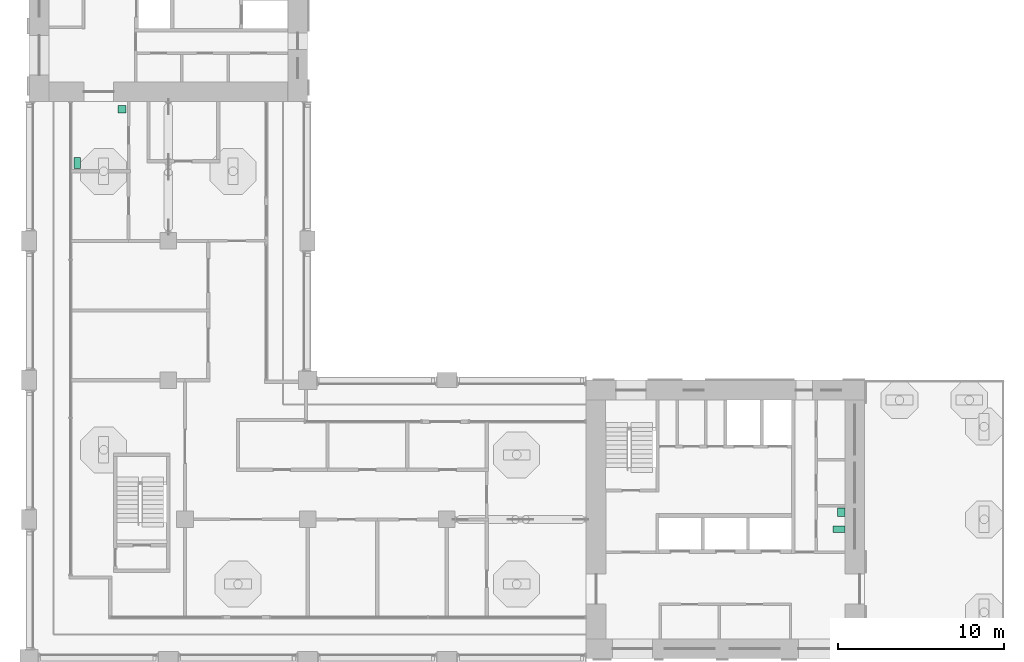
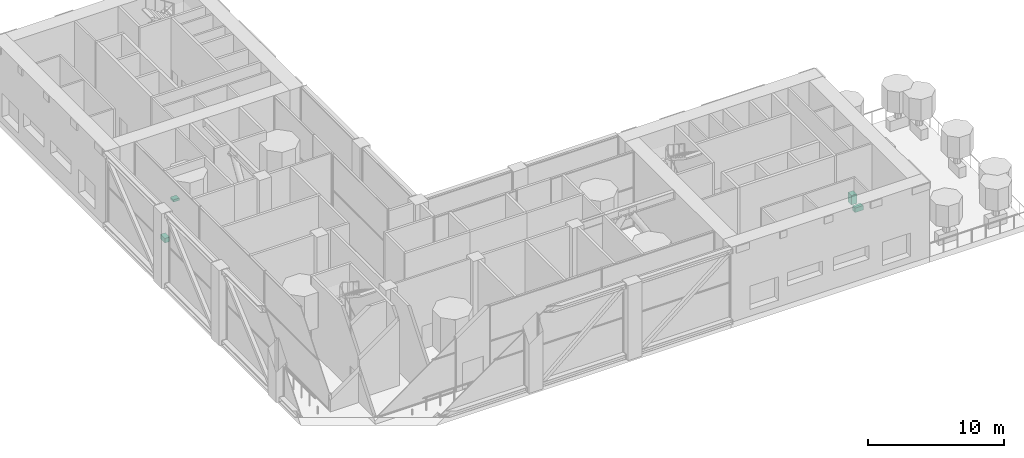
# One storey, part 18 of 20: 4 sanitary terminals.
"""IFC4 building model written with IfcOpenShell, lengths in metres."""

from ifc_helpers import new_model, si_unit, direction, frame, origin, origin_2d, place, context, subcontext, project, spatial, rectangle, extrude, material, element, save


model = new_model("IFC4")

# Units and contexts
model_context = context("Model", 3, precision=1e-05, world=origin(), true_north=direction((0.0, 1.0)))
body_context = subcontext(model_context, "Body", "Model", "MODEL_VIEW")
ifc_project = project(units=[si_unit("LENGTHUNIT", "METRE"), si_unit("AREAUNIT", "SQUARE_METRE"), si_unit("VOLUMEUNIT", "CUBIC_METRE"), si_unit("PLANEANGLEUNIT", "RADIAN"), si_unit("MASSUNIT", "GRAM", prefix="KILO")], contexts=[model_context])

# Site, building, storey
site_placement = place(None, origin())
site = spatial("IfcSite", under=ifc_project, at=site_placement, CompositionType="ELEMENT")
building_placement = place(site_placement, origin())
building = spatial("IfcBuilding", under=site, at=building_placement, Name="Vermilion Gate Residences", CompositionType="ELEMENT")
storey_placement = place(building_placement, frame((0.0, 0.0, 207.199951171875)))
storey = spatial("IfcBuildingStorey", under=building, at=storey_placement, Name="L54", CompositionType="ELEMENT", Elevation=207.199951171875)

# Sanitary terminals
ifc_material = material(Name="Vitreous china")
sanitary_terminal_1_placement = place(storey_placement, frame((57.25, 16.219970703125, 0.0), z_axis=(0.0, 0.0, 1.0), x_axis=(1.0, 0.0, 0.0)))
element("IfcSanitaryTerminal", 1, at=sanitary_terminal_1_placement, inside=storey, material=ifc_material, Name="Toilet pan A54", PredefinedType="TOILETPAN", context=body_context, shape_type="SweptSolid", body=[
    extrude(rectangle(XDim=0.699951171875, YDim=0.39990234375, at=origin_2d()), origin(), (0.0, 0.0, 1.0), 0.39990234375),
])
sanitary_terminal_2_placement = place(storey_placement, frame((57.375, 17.239990234375, 0.0), z_axis=(0.0, 0.0, 1.0), x_axis=(1.0, 0.0, 0.0)))
element("IfcSanitaryTerminal", 2, at=sanitary_terminal_2_placement, inside=storey, material=ifc_material, Name="Washbasin A54", PredefinedType="WASHHANDBASIN", context=body_context, shape_type="SweptSolid", body=[
    extrude(rectangle(XDim=0.449951171875, YDim=0.5, at=origin_2d()), origin(), (0.0, 0.0, 1.0), 0.85009765625),
])
sanitary_terminal_3_placement = place(storey_placement, frame((11.300048828125, 38.300048828125, 0.0), z_axis=(0.0, 0.0, 1.0), x_axis=(1.0, 0.0, 0.0)))
element("IfcSanitaryTerminal", 3, at=sanitary_terminal_3_placement, inside=storey, material=ifc_material, Name="Water closet 1", PredefinedType="TOILETPAN", context=body_context, shape_type="SweptSolid", body=[
    extrude(rectangle(XDim=0.39990234375, YDim=0.64990234375, at=origin_2d()), origin(), (0.0, 0.0, 1.0), 0.39990234375),
])
sanitary_terminal_4_placement = place(storey_placement, frame((14.0, 41.550048828125, 0.7001953125), z_axis=(0.0, 0.0, 1.0), x_axis=(1.0, 0.0, 0.0)))
element("IfcSanitaryTerminal", 4, at=sanitary_terminal_4_placement, inside=storey, material=ifc_material, Name="Wash basin 2", PredefinedType="WASHHANDBASIN", context=body_context, shape_type="SweptSolid", body=[
    extrude(rectangle(XDim=0.5, YDim=0.449951171875, at=origin_2d()), origin(), (0.0, 0.0, 1.0), 0.199951171875),
])

save(model, "model.ifc")
